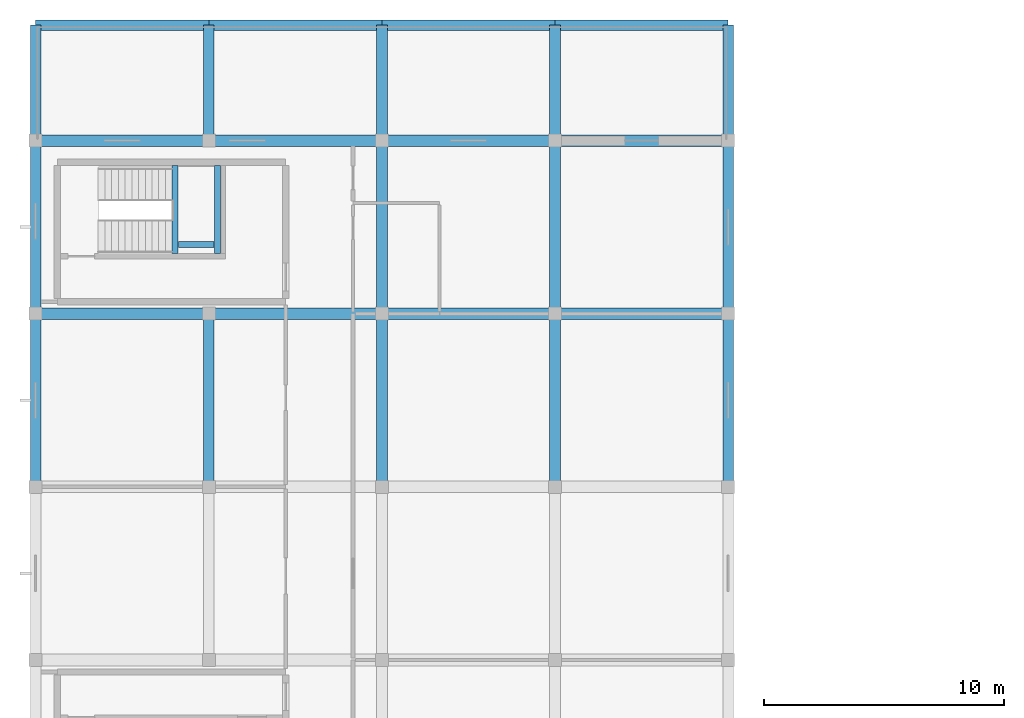
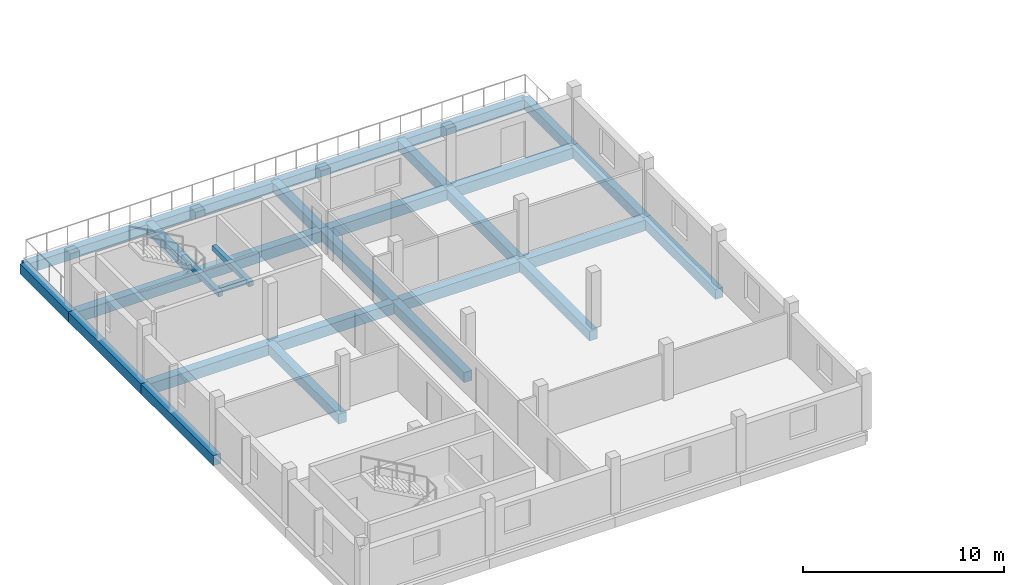
# One storey, part 41 of 84: 29 beams.
"""IFC4 building model written with IfcOpenShell, lengths in metres."""

from ifc_helpers import new_model, si_unit, direction, frame, origin, origin_2d, place, context, subcontext, project, spatial, rectangle, extrude, material, material_profile, profile_set, type_object, element, save


model = new_model("IFC4")

# Units and contexts
model_context = context("Model", 3, precision=1e-05, world=origin(), true_north=direction((0.0, 1.0)))
body_context = subcontext(model_context, "Body", "Model", "MODEL_VIEW")
ifc_project = project(units=[si_unit("LENGTHUNIT", "METRE"), si_unit("AREAUNIT", "SQUARE_METRE"), si_unit("VOLUMEUNIT", "CUBIC_METRE"), si_unit("PLANEANGLEUNIT", "RADIAN"), si_unit("MASSUNIT", "GRAM", prefix="KILO")], contexts=[model_context])

# Site, building, storey
site_placement = place(None, origin())
site = spatial("IfcSite", under=ifc_project, at=site_placement, CompositionType="ELEMENT")
building_placement = place(site_placement, origin())
building = spatial("IfcBuilding", under=site, at=building_placement, Name="Zornivar Specialist Clinic", CompositionType="ELEMENT")
storey_placement = place(building_placement, frame((0.0, 0.0, 12.300048828125)))
storey = spatial("IfcBuildingStorey", under=building, at=storey_placement, Name="L03", CompositionType="ELEMENT", Elevation=12.300048828125)

# Beams
ifc_material_1 = material(Name="Concrete C30/37", Category="concrete")
ifc_material_profile_1 = material_profile(ifc_material_1, rectangle(XDim=0.25, YDim=0.300048828125, at=origin_2d()), Name="RC 250x300")
ifc_profile_set_1 = profile_set([ifc_material_profile_1], Name="Concrete C30/37")
beam_type_1 = type_object("IfcBeamType", Name="BM-LAND-250x300", PredefinedType="BEAM", material=ifc_profile_set_1)
for number, where, z_axis, x_axis, name in (
    (1, (5.800048828125, 103.300048828125, 1.52001953125), (0.0, 1.0, 0.0), (-1.0, 0.0, 0.0), "bm:stair:C8:L03:lW"),
    (2, (7.56005859375, 103.300048828125, 1.52001953125), (0.0, 1.0, 0.0), (-1.0, 0.0, 0.0), "bm:stair:C8:L03:lE"),
):
    element("IfcBeam", number, at=place(storey_placement, frame(where, z_axis=z_axis, x_axis=x_axis)), inside=storey, type_object=beam_type_1, Name=name, PredefinedType="BEAM", context=body_context, shape_type="SweptSolid", body=[
        extrude(rectangle(XDim=0.25, YDim=0.300048828125, at=origin_2d()), origin(), (0.0, 0.0, 1.0), 3.669921875),
    ])
beam_1_placement = place(storey_placement, frame((5.93505859375, 103.679931640625, 1.52001953125), z_axis=(1.0, 0.0, 0.0), x_axis=(0.0, 1.0, 0.0)))
element("IfcBeam", 3, at=beam_1_placement, inside=storey, type_object=beam_type_1, Name="bm:stair:C8:L03:lS", PredefinedType="BEAM", context=body_context, shape_type="SweptSolid", body=[
    extrude(rectangle(XDim=0.25, YDim=0.300048828125, at=origin_2d()), origin(), (0.0, 0.0, 1.0), 1.489990234375),
])
ifc_material_2 = material(Name="Concrete C30/37", Category="concrete")
ifc_material_profile_2 = material_profile(ifc_material_2, rectangle(XDim=0.449951171875, YDim=0.60009765625, at=origin_2d()), Name="RC 450x600")
ifc_profile_set_2 = profile_set([ifc_material_profile_2], Name="Concrete C30/37")
beam_type_2 = type_object("IfcBeamType", Name="BM-RC-450x600", PredefinedType="BEAM", material=ifc_profile_set_2)
beam_2_placement = place(storey_placement, frame((7.199951171875, 93.60009765625, -0.610107421875), z_axis=(0.0, 1.0, 0.0), x_axis=(-1.0, 0.0, 0.0)))
element("IfcBeam", 4, at=beam_2_placement, inside=storey, type_object=beam_type_2, Name="bm:V5:L03:y:72:2", PredefinedType="BEAM", context=body_context, shape_type="SweptSolid", body=[
    extrude(rectangle(XDim=0.449951171875, YDim=0.60009765625, at=origin_2d()), origin(), (0.0, 0.0, 1.0), 7.199951171875),
])
beam_3_placement = place(storey_placement, frame((7.199951171875, 108.0, -0.610107421875), z_axis=(0.0, 1.0, 0.0), x_axis=(-1.0, 0.0, 0.0)))
element("IfcBeam", 5, at=beam_3_placement, inside=storey, type_object=beam_type_2, Name="bm:V5:L03:y:72:4", PredefinedType="BEAM", context=body_context, shape_type="SweptSolid", body=[
    extrude(rectangle(XDim=0.449951171875, YDim=0.60009765625, at=origin_2d()), origin(), (0.0, 0.0, 1.0), 4.800048828125),
])
for number, where, z_axis, x_axis, name in (
    (6, (14.39990234375, 93.60009765625, -0.610107421875), (0.0, 1.0, 0.0), (-1.0, 0.0, 0.0), "bm:V5:L03:y:144:2"),
    (7, (14.39990234375, 100.800048828125, -0.610107421875), (0.0, 1.0, 0.0), (-1.0, 0.0, 0.0), "bm:V5:L03:y:144:3"),
):
    element("IfcBeam", number, at=place(storey_placement, frame(where, z_axis=z_axis, x_axis=x_axis)), inside=storey, type_object=beam_type_2, Name=name, PredefinedType="BEAM", context=body_context, shape_type="SweptSolid", body=[
        extrude(rectangle(XDim=0.449951171875, YDim=0.60009765625, at=origin_2d()), origin(), (0.0, 0.0, 1.0), 7.199951171875),
    ])
beam_4_placement = place(storey_placement, frame((14.39990234375, 108.0, -0.610107421875), z_axis=(0.0, 1.0, 0.0), x_axis=(-1.0, 0.0, 0.0)))
element("IfcBeam", 8, at=beam_4_placement, inside=storey, type_object=beam_type_2, Name="bm:V5:L03:y:144:4", PredefinedType="BEAM", context=body_context, shape_type="SweptSolid", body=[
    extrude(rectangle(XDim=0.449951171875, YDim=0.60009765625, at=origin_2d()), origin(), (0.0, 0.0, 1.0), 4.800048828125),
])
for number, where, z_axis, x_axis, name in (
    (9, (21.60009765625, 93.60009765625, -0.610107421875), (0.0, 1.0, 0.0), (-1.0, 0.0, 0.0), "bm:V5:L03:y:216:2"),
    (10, (21.60009765625, 100.800048828125, -0.610107421875), (0.0, 1.0, 0.0), (-1.0, 0.0, 0.0), "bm:V5:L03:y:216:3"),
):
    element("IfcBeam", number, at=place(storey_placement, frame(where, z_axis=z_axis, x_axis=x_axis)), inside=storey, type_object=beam_type_2, Name=name, PredefinedType="BEAM", context=body_context, shape_type="SweptSolid", body=[
        extrude(rectangle(XDim=0.449951171875, YDim=0.60009765625, at=origin_2d()), origin(), (0.0, 0.0, 1.0), 7.199951171875),
    ])
beam_5_placement = place(storey_placement, frame((21.60009765625, 108.0, -0.610107421875), z_axis=(0.0, 1.0, 0.0), x_axis=(-1.0, 0.0, 0.0)))
element("IfcBeam", 11, at=beam_5_placement, inside=storey, type_object=beam_type_2, Name="bm:V5:L03:y:216:4", PredefinedType="BEAM", context=body_context, shape_type="SweptSolid", body=[
    extrude(rectangle(XDim=0.449951171875, YDim=0.60009765625, at=origin_2d()), origin(), (0.0, 0.0, 1.0), 4.800048828125),
])
ifc_material_3 = material(Name="Concrete C30/37", Category="concrete")
ifc_material_profile_3 = material_profile(ifc_material_3, rectangle(XDim=0.47998046875, YDim=0.64990234375, at=origin_2d()), Name="RC 480x650")
ifc_profile_set_3 = profile_set([ifc_material_profile_3], Name="Concrete C30/37")
beam_type_3 = type_object("IfcBeamType", Name="BM-RC-480x650", PredefinedType="BEAM", material=ifc_profile_set_3)
for number, where, z_axis, x_axis, name in (
    (12, (0.0, 100.800048828125, -0.635009765625), (1.0, 0.0, 0.0), (0.0, 1.0, 0.0), "bm:V5:L03:x:1008:0"),
    (13, (7.199951171875, 100.800048828125, -0.635009765625), (1.0, 0.0, 0.0), (0.0, 1.0, 0.0), "bm:V5:L03:x:1008:1"),
):
    element("IfcBeam", number, at=place(storey_placement, frame(where, z_axis=z_axis, x_axis=x_axis)), inside=storey, type_object=beam_type_3, Name=name, PredefinedType="BEAM", context=body_context, shape_type="SweptSolid", body=[
        extrude(rectangle(XDim=0.47998046875, YDim=0.64990234375, at=origin_2d()), origin(), (0.0, 0.0, 1.0), 7.199951171875),
    ])
beam_6_placement = place(storey_placement, frame((14.39990234375, 100.800048828125, -0.635009765625), z_axis=(1.0, 0.0, 0.0), x_axis=(0.0, 1.0, 0.0)))
element("IfcBeam", 14, at=beam_6_placement, inside=storey, type_object=beam_type_3, Name="bm:V5:L03:x:1008:2", PredefinedType="BEAM", context=body_context, shape_type="SweptSolid", body=[
    extrude(rectangle(XDim=0.47998046875, YDim=0.64990234375, at=origin_2d()), origin(), (0.0, 0.0, 1.0), 7.2001953125),
])
for number, where, z_axis, x_axis, name in (
    (15, (21.60009765625, 100.800048828125, -0.635009765625), (1.0, 0.0, 0.0), (0.0, 1.0, 0.0), "bm:V5:L03:x:1008:3"),
    (16, (0.0, 108.0, -0.635009765625), (1.0, 0.0, 0.0), (0.0, 1.0, 0.0), "bm:V5:L03:x:1080:0"),
    (17, (7.199951171875, 108.0, -0.635009765625), (1.0, 0.0, 0.0), (0.0, 1.0, 0.0), "bm:V5:L03:x:1080:1"),
):
    element("IfcBeam", number, at=place(storey_placement, frame(where, z_axis=z_axis, x_axis=x_axis)), inside=storey, type_object=beam_type_3, Name=name, PredefinedType="BEAM", context=body_context, shape_type="SweptSolid", body=[
        extrude(rectangle(XDim=0.47998046875, YDim=0.64990234375, at=origin_2d()), origin(), (0.0, 0.0, 1.0), 7.199951171875),
    ])
beam_7_placement = place(storey_placement, frame((14.39990234375, 108.0, -0.635009765625), z_axis=(1.0, 0.0, 0.0), x_axis=(0.0, 1.0, 0.0)))
element("IfcBeam", 18, at=beam_7_placement, inside=storey, type_object=beam_type_3, Name="bm:V5:L03:x:1080:2", PredefinedType="BEAM", context=body_context, shape_type="SweptSolid", body=[
    extrude(rectangle(XDim=0.47998046875, YDim=0.64990234375, at=origin_2d()), origin(), (0.0, 0.0, 1.0), 7.2001953125),
])
beam_8_placement = place(storey_placement, frame((21.60009765625, 108.0, -0.635009765625), z_axis=(1.0, 0.0, 0.0), x_axis=(0.0, 1.0, 0.0)))
element("IfcBeam", 19, at=beam_8_placement, inside=storey, type_object=beam_type_3, Name="bm:V5:L03:x:1080:3", PredefinedType="BEAM", context=body_context, shape_type="SweptSolid", body=[
    extrude(rectangle(XDim=0.47998046875, YDim=0.64990234375, at=origin_2d()), origin(), (0.0, 0.0, 1.0), 7.199951171875),
])
ifc_material_4 = material(Name="Concrete C30/37", Category="concrete")
ifc_material_profile_4 = material_profile(ifc_material_4, rectangle(XDim=0.429931640625, YDim=0.60009765625, at=origin_2d()), Name="RC 430x600")
ifc_profile_set_4 = profile_set([ifc_material_profile_4], Name="Concrete C30/37")
beam_type_4 = type_object("IfcBeamType", Name="BM-RC-SPANDREL-430x600", PredefinedType="SPANDREL", material=ifc_profile_set_4)
for number, where, z_axis, x_axis, name in (
    (20, (0.0, 112.800048828125, -0.610107421875), (1.0, 0.0, 0.0), (0.0, 1.0, 0.0), "bm:V5:L03:x:1128:0"),
    (21, (7.199951171875, 112.800048828125, -0.610107421875), (1.0, 0.0, 0.0), (0.0, 1.0, 0.0), "bm:V5:L03:x:1128:1"),
):
    element("IfcBeam", number, at=place(storey_placement, frame(where, z_axis=z_axis, x_axis=x_axis)), inside=storey, type_object=beam_type_4, Name=name, PredefinedType="SPANDREL", context=body_context, shape_type="SweptSolid", body=[
        extrude(rectangle(XDim=0.429931640625, YDim=0.60009765625, at=origin_2d()), origin(), (0.0, 0.0, 1.0), 7.199951171875),
    ])
beam_9_placement = place(storey_placement, frame((14.39990234375, 112.800048828125, -0.610107421875), z_axis=(1.0, 0.0, 0.0), x_axis=(0.0, 1.0, 0.0)))
element("IfcBeam", 22, at=beam_9_placement, inside=storey, type_object=beam_type_4, Name="bm:V5:L03:x:1128:2", PredefinedType="SPANDREL", context=body_context, shape_type="SweptSolid", body=[
    extrude(rectangle(XDim=0.429931640625, YDim=0.60009765625, at=origin_2d()), origin(), (0.0, 0.0, 1.0), 7.2001953125),
])
for number, where, z_axis, x_axis, name in (
    (23, (21.60009765625, 112.800048828125, -0.610107421875), (1.0, 0.0, 0.0), (0.0, 1.0, 0.0), "bm:V5:L03:x:1128:3"),
    (24, (0.0, 93.60009765625, -0.610107421875), (0.0, 1.0, 0.0), (-1.0, 0.0, 0.0), "bm:V5:L03:y:0:2"),
    (25, (0.0, 100.800048828125, -0.610107421875), (0.0, 1.0, 0.0), (-1.0, 0.0, 0.0), "bm:V5:L03:y:0:3"),
):
    element("IfcBeam", number, at=place(storey_placement, frame(where, z_axis=z_axis, x_axis=x_axis)), inside=storey, type_object=beam_type_4, Name=name, PredefinedType="SPANDREL", context=body_context, shape_type="SweptSolid", body=[
        extrude(rectangle(XDim=0.429931640625, YDim=0.60009765625, at=origin_2d()), origin(), (0.0, 0.0, 1.0), 7.199951171875),
    ])
beam_10_placement = place(storey_placement, frame((0.0, 108.0, -0.610107421875), z_axis=(0.0, 1.0, 0.0), x_axis=(-1.0, 0.0, 0.0)))
element("IfcBeam", 26, at=beam_10_placement, inside=storey, type_object=beam_type_4, Name="bm:V5:L03:y:0:4", PredefinedType="SPANDREL", context=body_context, shape_type="SweptSolid", body=[
    extrude(rectangle(XDim=0.429931640625, YDim=0.60009765625, at=origin_2d()), origin(), (0.0, 0.0, 1.0), 4.800048828125),
])
for number, where, z_axis, x_axis, name in (
    (27, (28.800048828125, 93.60009765625, -0.610107421875), (0.0, 1.0, 0.0), (-1.0, 0.0, 0.0), "bm:V5:L03:y:288:2"),
    (28, (28.800048828125, 100.800048828125, -0.610107421875), (0.0, 1.0, 0.0), (-1.0, 0.0, 0.0), "bm:V5:L03:y:288:3"),
):
    element("IfcBeam", number, at=place(storey_placement, frame(where, z_axis=z_axis, x_axis=x_axis)), inside=storey, type_object=beam_type_4, Name=name, PredefinedType="SPANDREL", context=body_context, shape_type="SweptSolid", body=[
        extrude(rectangle(XDim=0.429931640625, YDim=0.60009765625, at=origin_2d()), origin(), (0.0, 0.0, 1.0), 7.199951171875),
    ])
beam_11_placement = place(storey_placement, frame((28.800048828125, 108.0, -0.610107421875), z_axis=(0.0, 1.0, 0.0), x_axis=(-1.0, 0.0, 0.0)))
element("IfcBeam", 29, at=beam_11_placement, inside=storey, type_object=beam_type_4, Name="bm:V5:L03:y:288:4", PredefinedType="SPANDREL", context=body_context, shape_type="SweptSolid", body=[
    extrude(rectangle(XDim=0.429931640625, YDim=0.60009765625, at=origin_2d()), origin(), (0.0, 0.0, 1.0), 4.800048828125),
])

save(model, "model.ifc")
